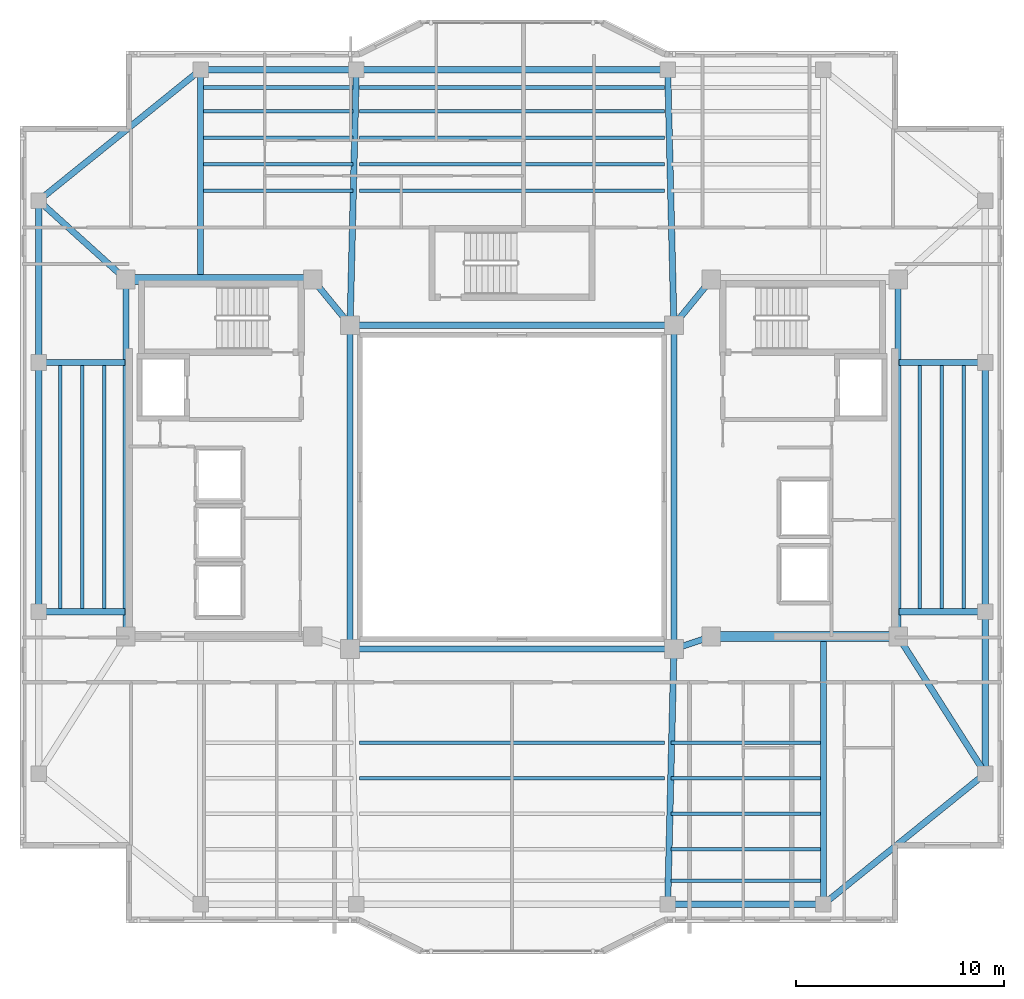
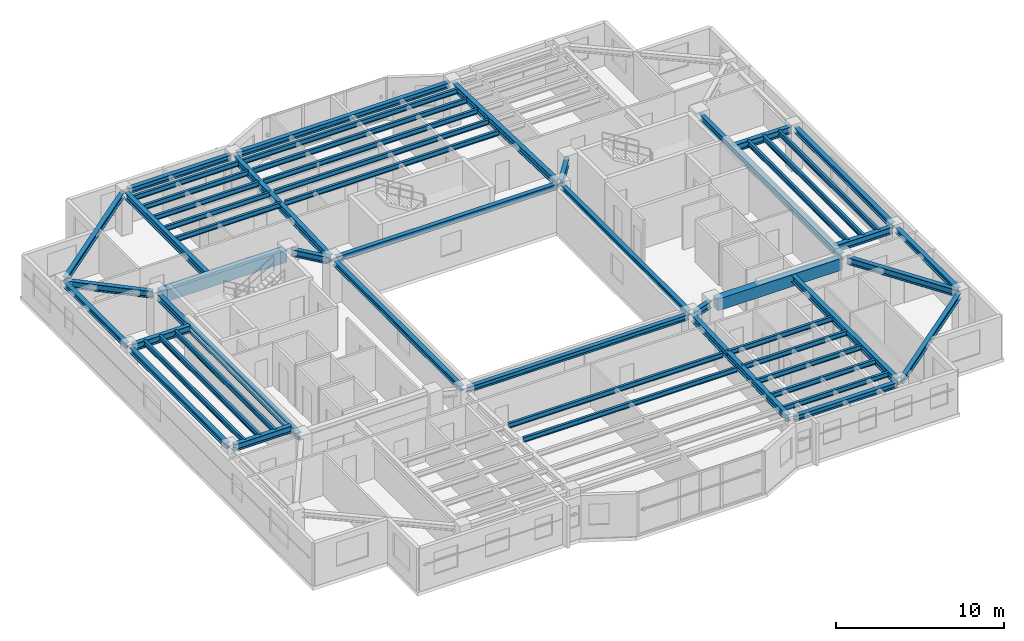
# One storey, part 3 of 13: 54 beams.
"""IFC4 building model written with IfcOpenShell, lengths in metres."""

import ifcopenshell
import ifcopenshell.guid

model = None  # the IFC model being written
_history = None  # IfcOwnerHistory: only IFC2X3 demands one
_inside = {}  # id of a spatial element -> (the spatial element, [elements in it])
_under = {}  # id of a project, library or spatial element -> (it, [spatial elements below it])
_declared = {}  # id of a project -> (the project, [libraries it declares])
_typed = {}  # id of a type object -> (the type object, [elements of that type])
_made_of = {}  # id of a material, layer set ... -> (it, [elements and type objects made of it])


def new_model(schema):
    """Start an empty IFC model of exactly this schema.

    Asked for "IFC4X3", IfcOpenShell would pick the latest addendum, in which some entities
    have other attributes; the version numbers below select the first issue.
    IFC2X3 requires an IfcOwnerHistory on every rooted entity: one is made here for all.
    """
    global model, _history
    if schema == "IFC4X3":
        model = ifcopenshell.file(schema_version=(4, 3, 0, 0))
    else:
        model = ifcopenshell.file(schema=schema)
    _inside.clear()
    _under.clear()
    _declared.clear()
    _typed.clear()
    _made_of.clear()
    _history = None
    if model.schema == "IFC2X3":
        org = make("IfcOrganization", Name="unknown")
        user = make(
            "IfcPersonAndOrganization",
            ThePerson=make("IfcPerson", FamilyName="unknown"),
            TheOrganization=org,
        )
        app = make(
            "IfcApplication",
            ApplicationDeveloper=org,
            Version="unknown",
            ApplicationFullName="unknown",
            ApplicationIdentifier="unknown",
        )
        _history = make(
            "IfcOwnerHistory",
            OwningUser=user,
            OwningApplication=app,
            ChangeAction="ADDED",
            CreationDate=0,
        )
    return model


def make(cls, **values):
    """One entity of the class cls with the attributes given. An attribute that is None is left unset."""
    return model.create_entity(
        cls, **{name: value for name, value in values.items() if value is not None}
    )


def rooted(cls, **values):
    """An entity with a GlobalId (a new one), such as an element, a storey or a relation."""
    return make(cls, GlobalId=ifcopenshell.guid.new(), OwnerHistory=_history, **values)


def si_unit(unit_type, name, prefix=None):
    """IfcSIUnit, for example si_unit("LENGTHUNIT", "METRE", prefix="MILLI")."""
    return make("IfcSIUnit", UnitType=unit_type, Prefix=prefix, Name=name)


def assignment(units):
    """IfcUnitAssignment: the units of a project."""
    return None if units is None else make("IfcUnitAssignment", Units=units)


def point(xyz):
    """IfcCartesianPoint."""
    return None if xyz is None else make("IfcCartesianPoint", Coordinates=xyz)


def direction(xyz):
    """IfcDirection."""
    return None if xyz is None else make("IfcDirection", DirectionRatios=xyz)


def frame(location, z_axis=None, x_axis=None):
    """IfcAxis2Placement3D, a coordinate frame: its origin and axes. An axis left out is left unset."""
    return make(
        "IfcAxis2Placement3D",
        Location=point(location),
        Axis=direction(z_axis),
        RefDirection=direction(x_axis),
    )


def frame_2d(location, x_axis=None):
    """IfcAxis2Placement2D, a coordinate frame in the plane: its origin and x axis."""
    return make(
        "IfcAxis2Placement2D", Location=point(location), RefDirection=direction(x_axis)
    )


def origin():
    """The frame at (0, 0, 0) with its axes left unset."""
    return frame((0.0, 0.0, 0.0))


def origin_2d():
    """The frame at (0, 0) in the plane with its x axis left unset."""
    return frame_2d((0.0, 0.0))


def place(relative_to, where):
    """IfcLocalPlacement: puts the frame where relative to a parent placement (None: the world)."""
    return make(
        "IfcLocalPlacement", PlacementRelTo=relative_to, RelativePlacement=where
    )


def context(
    kind, dimensions, precision=None, world=None, true_north=None, identifier=None
):
    """IfcGeometricRepresentationContext, for example the 3D "Model" context."""
    return make(
        "IfcGeometricRepresentationContext",
        ContextIdentifier=identifier,
        ContextType=kind,
        CoordinateSpaceDimension=dimensions,
        Precision=precision,
        WorldCoordinateSystem=world,
        TrueNorth=true_north,
    )


def subcontext(parent, identifier, kind, view, scale=None):
    """IfcGeometricRepresentationSubContext, for example "Body" below "Model"."""
    return make(
        "IfcGeometricRepresentationSubContext",
        ContextIdentifier=identifier,
        ContextType=kind,
        ParentContext=parent,
        TargetScale=scale,
        TargetView=view,
    )


def project(units=None, contexts=None):
    """IfcProject with its units and contexts."""
    return rooted(
        "IfcProject",
        Name="project",
        RepresentationContexts=contexts,
        UnitsInContext=assignment(units),
    )


def spatial(cls, under=None, at=None, **own):
    """A site, building, storey or space (cls), placed at a placement, below another one or the project."""
    s = rooted(cls, ObjectPlacement=at, **own)
    if under is not None:
        _under.setdefault(under.id(), (under, []))[1].append(s)
    return s


def profile(cls, at=None, kind="AREA", **sizes):
    """A parametric profile (cls). Its sizes go by their IFC names, for example OverallWidth=200.0."""
    return make(cls, ProfileType=kind, Position=at, **sizes)


def rectangle(**sizes):
    """IfcRectangleProfileDef."""
    return profile("IfcRectangleProfileDef", **sizes)


def i_section(**sizes):
    """IfcIShapeProfileDef."""
    return profile("IfcIShapeProfileDef", **sizes)


def extrude(swept, where, along, depth):
    """IfcExtrudedAreaSolid: the profile swept, set in the frame where, extruded along a direction by depth."""
    return make(
        "IfcExtrudedAreaSolid",
        SweptArea=swept,
        Position=where,
        ExtrudedDirection=direction(along),
        Depth=depth,
    )


def shape(context_of_items, identifier, shape_type, items):
    """IfcShapeRepresentation: the items that make up one representation, for example the "Body"."""
    return make(
        "IfcShapeRepresentation",
        ContextOfItems=context_of_items,
        RepresentationIdentifier=identifier,
        RepresentationType=shape_type,
        Items=items,
    )


def material(Name=None, Category=None):
    """IfcMaterial."""
    return make("IfcMaterial", Name=Name, Category=Category)


def material_profile(
    of_material, cross_section, Name=None, Category=None, Priority=None
):
    """IfcMaterialProfile: a cross section and its material."""
    return make(
        "IfcMaterialProfile",
        Name=Name,
        Material=of_material,
        Profile=cross_section,
        Priority=Priority,
        Category=Category,
    )


def profile_set(profiles, Name=None, composite=None):
    """IfcMaterialProfileSet."""
    return make(
        "IfcMaterialProfileSet",
        Name=Name,
        MaterialProfiles=profiles,
        CompositeProfile=composite,
    )


def made_of(thing, what):
    """Note that an element or type object is made of a material, layer set ...; save() writes the relation."""
    if what is not None:
        _made_of.setdefault(what.id(), (what, []))[1].append(thing)
    return thing


def type_object(cls, material=None, **own):
    """A type object (cls), such as IfcWallType, which elements share."""
    return made_of(rooted(cls, **own), material)


def element(
    cls,
    number,
    at=None,
    inside=None,
    cuts=None,
    type_object=None,
    material=None,
    context=None,
    identifier="Body",
    shape_type=None,
    held_by="IfcProductDefinitionShape",
    body=None,
    shapes=None,
    **own,
):
    """One element of the class cls, such as IfcWall. Its Tag is "e" and its number.

    at: its placement. inside: the storey or other place that contains it. cuts: it is an
    opening in that element (IfcRelVoidsElement). A single representation is given by context,
    identifier, shape_type and body (its items); several are given by shapes. held_by: the class
    of the entity that holds the representations. save() writes the other relations.
    """
    e = rooted(cls, Tag="e%d" % number, ObjectPlacement=at, **own)
    if body is not None:
        shapes = [shape(context, identifier, shape_type, body)]
    if shapes is not None:
        e.Representation = make(held_by, Representations=shapes)
    if inside is not None:
        _inside.setdefault(inside.id(), (inside, []))[1].append(e)
    if cuts is not None:
        rooted(
            "IfcRelVoidsElement", RelatingBuildingElement=cuts, RelatedOpeningElement=e
        )
    if type_object is not None:
        _typed.setdefault(type_object.id(), (type_object, []))[1].append(e)
    return made_of(e, material)


def aggregate(whole, parts):
    """IfcRelAggregates: a whole, such as a stair, and the parts it consists of."""
    return rooted("IfcRelAggregates", RelatingObject=whole, RelatedObjects=parts)


def save(model, path):
    """Write the relations noted so far, then the file.

    IfcRelAggregates (storeys below a building ...), IfcRelContainedInSpatialStructure (elements
    in a storey), IfcRelDefinesByType, IfcRelAssociatesMaterial and IfcRelDeclares: one each for
    every whole, place, type object, material and project.
    """
    for whole, parts in _under.values():
        aggregate(whole, parts)
    for where, things in _inside.values():
        rooted(
            "IfcRelContainedInSpatialStructure",
            RelatedElements=things,
            RelatingStructure=where,
        )
    for kind, things in _typed.values():
        rooted("IfcRelDefinesByType", RelatedObjects=things, RelatingType=kind)
    for what, things in _made_of.values():
        rooted("IfcRelAssociatesMaterial", RelatedObjects=things, RelatingMaterial=what)
    for by, libraries in _declared.values():
        rooted("IfcRelDeclares", RelatingContext=by, RelatedDefinitions=libraries)
    model.write(path)


model = new_model("IFC4")

# Units and contexts
model_context = context("Model", 3, precision=1e-05, world=origin(), true_north=direction((0.0, 1.0)))
body_context = subcontext(model_context, "Body", "Model", "MODEL_VIEW")
ifc_project = project(units=[si_unit("LENGTHUNIT", "METRE"), si_unit("AREAUNIT", "SQUARE_METRE"), si_unit("VOLUMEUNIT", "CUBIC_METRE"), si_unit("PLANEANGLEUNIT", "RADIAN"), si_unit("MASSUNIT", "GRAM", prefix="KILO")], contexts=[model_context])

# Site, building, storey
site_placement = place(None, origin())
site = spatial("IfcSite", under=ifc_project, at=site_placement, CompositionType="ELEMENT")
building_placement = place(site_placement, origin())
building = spatial("IfcBuilding", under=site, at=building_placement, Name="Tarnavaz Court Tower", CompositionType="ELEMENT")
storey_placement = place(building_placement, frame((0.0, 0.0, 193.60009765625)))
storey = spatial("IfcBuildingStorey", under=building, at=storey_placement, Name="L52", CompositionType="ELEMENT", Elevation=193.60009765625)

# Beams
ifc_material_1 = material(Name="Concrete C50/60", Category="concrete")
ifc_material_profile_1 = material_profile(ifc_material_1, rectangle(XDim=0.5, YDim=0.85009765625, at=origin_2d()), Name="RC 500X850")
ifc_profile_set_1 = profile_set([ifc_material_profile_1], Name="Concrete C50/60")
beam_type_1 = type_object("IfcBeamType", Name="BM-CB850", PredefinedType="LINTEL", material=ifc_profile_set_1)
for number, where, z_axis, x_axis, name in (
    (1, (-18.3798828125, 10.0, 2.6748046875), (1.0, 0.0, 0.0), (0.0, 1.0, 0.0), "L52 Beam IN-CW-NO-CW-NI"),
    (2, (18.3798828125, -7.199951171875, 2.6748046875), (-1.0, 0.0, 0.0), (0.0, -1.0, 0.0), "L52 Beam IN-CE-SO-CE-SI"),
):
    element("IfcBeam", number, at=place(storey_placement, frame(where, z_axis=z_axis, x_axis=x_axis)), inside=storey, type_object=beam_type_1, Name=name, PredefinedType="LINTEL", context=body_context, shape_type="SweptSolid", body=[
        extrude(rectangle(XDim=0.5, YDim=0.85009765625, at=origin_2d()), origin(), (0.0, 0.0, 1.0), 8.559814453125),
    ])
ifc_material_2 = material(Name="Steel S355", Category="steel")
ifc_material_profile_2 = material_profile(ifc_material_2, i_section(OverallWidth=0.300048828125, OverallDepth=0.5, WebThickness=0.014404296875, FlangeThickness=0.028076171875, FilletRadius=0.027099609375, at=origin_2d()), Name="HEB 500")
ifc_profile_set_2 = profile_set([ifc_material_profile_2], Name="Steel S355")
beam_type_2 = type_object("IfcBeamType", Name="BM-G-HEB500", PredefinedType="USERDEFINED", material=ifc_profile_set_2)
beam_1_placement = place(storey_placement, frame((9.391357421875, -7.26953125, 2.849853515625), z_axis=(-0.948666544706, -0.316278021615, 0.0), x_axis=(0.316278021615, -0.948666544706, 0.0)))
element("IfcBeam", 3, at=beam_1_placement, inside=storey, type_object=beam_type_2, Name="L52 Beam IN-CE-SI-IW-SE", ObjectType="GIRDER", PredefinedType="USERDEFINED", context=body_context, shape_type="SweptSolid", body=[
    extrude(i_section(OverallWidth=0.300048828125, OverallDepth=0.5, WebThickness=0.014404296875, FlangeThickness=0.028076171875, FilletRadius=0.027099609375, at=origin_2d()), origin(), (0.0, 0.0, 1.0), 1.457275390625),
])
for number, where, z_axis, x_axis, name in (
    (4, (-9.460693359375, 9.82958984375, 2.849853515625), (0.633282058357, -0.773921077735, 0.0), (0.773921077735, 0.633282058357, 0.0), "L52 Beam IN-CW-NI-IW-NW"),
    (5, (9.460693359375, 9.82958984375, 2.849853515625), (-0.633282058357, -0.773921077735, 0.0), (0.773921077735, -0.633282058357, 0.0), "L52 Beam IN-CE-NI-IW-NE"),
):
    element("IfcBeam", number, at=place(storey_placement, frame(where, z_axis=z_axis, x_axis=x_axis)), inside=storey, type_object=beam_type_2, Name=name, ObjectType="GIRDER", PredefinedType="USERDEFINED", context=body_context, shape_type="SweptSolid", body=[
        extrude(i_section(OverallWidth=0.300048828125, OverallDepth=0.5, WebThickness=0.014404296875, FlangeThickness=0.028076171875, FilletRadius=0.027099609375, at=origin_2d()), origin(), (0.0, 0.0, 1.0), 2.402587890625),
    ])
for number, where, z_axis, x_axis, name in (
    (6, (-18.60009765625, -6.97998046875, 2.849853515625), (0.0, 1.0, 0.0), (-1.0, 0.0, 0.0), "L52 Beam IN-CW-SO-CW-NO"),
    (7, (18.60009765625, -6.97998046875, 2.849853515625), (0.0, 1.0, 0.0), (-1.0, 0.0, 0.0), "L52 Beam IN-CE-SO-CE-NO"),
):
    element("IfcBeam", number, at=place(storey_placement, frame(where, z_axis=z_axis, x_axis=x_axis)), inside=storey, type_object=beam_type_2, Name=name, ObjectType="GIRDER", PredefinedType="USERDEFINED", context=body_context, shape_type="SweptSolid", body=[
        extrude(i_section(OverallWidth=0.300048828125, OverallDepth=0.5, WebThickness=0.014404296875, FlangeThickness=0.028076171875, FilletRadius=0.027099609375, at=origin_2d()), origin(), (0.0, 0.0, 1.0), 16.760009765625),
    ])
beam_2_placement = place(storey_placement, frame((-15.0, 10.0400390625, 2.849853515625), z_axis=(0.0, 1.0, 0.0), x_axis=(-1.0, 0.0, 0.0)))
element("IfcBeam", 8, at=beam_2_placement, inside=storey, type_object=beam_type_2, Name="L52 Beam RG-01", ObjectType="GIRDER", PredefinedType="USERDEFINED", context=body_context, shape_type="SweptSolid", body=[
    extrude(i_section(OverallWidth=0.300048828125, OverallDepth=0.5, WebThickness=0.014404296875, FlangeThickness=0.028076171875, FilletRadius=0.027099609375, at=origin_2d()), origin(), (0.0, 0.0, 1.0), 9.83984375),
])
for number, where, z_axis, x_axis, name in (
    (9, (-7.794677734375, 8.02001953125, 2.849853515625), (0.024386002211, 0.99970261723, 0.0), (-0.99970261723, 0.024386002211, 0.0), "L52 Beam RG-02"),
    (10, (7.794677734375, 8.02001953125, 2.849853515625), (-0.024386002211, 0.99970261723, 0.0), (-0.99970261723, -0.024386002211, 0.0), "L52 Beam RG-03"),
    (11, (7.794677734375, -8.02001953125, 2.849853515625), (-0.024386002211, -0.99970261723, 0.0), (0.99970261723, -0.024386002211, 0.0), "L52 Beam RG-07"),
):
    element("IfcBeam", number, at=place(storey_placement, frame(where, z_axis=z_axis, x_axis=x_axis)), inside=storey, type_object=beam_type_2, Name=name, ObjectType="GIRDER", PredefinedType="USERDEFINED", context=body_context, shape_type="SweptSolid", body=[
        extrude(i_section(OverallWidth=0.300048828125, OverallDepth=0.5, WebThickness=0.014404296875, FlangeThickness=0.028076171875, FilletRadius=0.027099609375, at=origin_2d()), origin(), (0.0, 0.0, 1.0), 11.863525390625),
    ])
beam_3_placement = place(storey_placement, frame((15.0, -7.239990234375, 2.849853515625), z_axis=(0.0, -1.0, 0.0), x_axis=(1.0, 0.0, 0.0)))
element("IfcBeam", 12, at=beam_3_placement, inside=storey, type_object=beam_type_2, Name="L52 Beam RG-08", ObjectType="GIRDER", PredefinedType="USERDEFINED", context=body_context, shape_type="SweptSolid", body=[
    extrude(i_section(OverallWidth=0.300048828125, OverallDepth=0.5, WebThickness=0.014404296875, FlangeThickness=0.028076171875, FilletRadius=0.027099609375, at=origin_2d()), origin(), (0.0, 0.0, 1.0), 12.639892578125),
])
for number, where, z_axis, x_axis, name in (
    (13, (18.639892578125, -6.0, 2.849853515625), (1.0, 0.0, 0.0), (0.0, 1.0, 0.0), "L52 Beam RG-09"),
    (14, (18.639892578125, 6.0, 2.849853515625), (1.0, 0.0, 0.0), (0.0, 1.0, 0.0), "L52 Beam RG-10"),
):
    element("IfcBeam", number, at=place(storey_placement, frame(where, z_axis=z_axis, x_axis=x_axis)), inside=storey, type_object=beam_type_2, Name=name, ObjectType="GIRDER", PredefinedType="USERDEFINED", context=body_context, shape_type="SweptSolid", body=[
        extrude(i_section(OverallWidth=0.300048828125, OverallDepth=0.5, WebThickness=0.014404296875, FlangeThickness=0.028076171875, FilletRadius=0.027099609375, at=origin_2d()), origin(), (0.0, 0.0, 1.0), 3.940185546875),
    ])
beam_4_placement = place(storey_placement, frame((18.718017578125, -7.385498046875, 2.849853515625), z_axis=(0.536871212964, -0.843664210863, 0.0), x_axis=(0.843664210863, 0.536871212964, 0.0)))
element("IfcBeam", 15, at=beam_4_placement, inside=storey, type_object=beam_type_2, Name="L52 Beam RG-11", ObjectType="GIRDER", PredefinedType="USERDEFINED", context=body_context, shape_type="SweptSolid", body=[
    extrude(i_section(OverallWidth=0.300048828125, OverallDepth=0.5, WebThickness=0.014404296875, FlangeThickness=0.028076171875, FilletRadius=0.027099609375, at=origin_2d()), origin(), (0.0, 0.0, 1.0), 7.38330078125),
])
for number, where, z_axis, x_axis, name in (
    (16, (-18.639892578125, -6.0, 2.849853515625), (-1.0, 0.0, 0.0), (0.0, -1.0, 0.0), "L52 Beam RG-13"),
    (17, (-18.639892578125, 6.0, 2.849853515625), (-1.0, 0.0, 0.0), (0.0, -1.0, 0.0), "L52 Beam RG-14"),
):
    element("IfcBeam", number, at=place(storey_placement, frame(where, z_axis=z_axis, x_axis=x_axis)), inside=storey, type_object=beam_type_2, Name=name, ObjectType="GIRDER", PredefinedType="USERDEFINED", context=body_context, shape_type="SweptSolid", body=[
        extrude(i_section(OverallWidth=0.300048828125, OverallDepth=0.5, WebThickness=0.014404296875, FlangeThickness=0.028076171875, FilletRadius=0.027099609375, at=origin_2d()), origin(), (0.0, 0.0, 1.0), 3.940185546875),
    ])
beam_5_placement = place(storey_placement, frame((-18.76318359375, 10.147705078125, 2.849853515625), z_axis=(-0.741555708494, 0.670891296113, 0.0), x_axis=(-0.670891296113, -0.741555708494, 0.0)))
element("IfcBeam", 18, at=beam_5_placement, inside=storey, type_object=beam_type_2, Name="L52 Beam RG-16", ObjectType="GIRDER", PredefinedType="USERDEFINED", context=body_context, shape_type="SweptSolid", body=[
    extrude(i_section(OverallWidth=0.300048828125, OverallDepth=0.5, WebThickness=0.014404296875, FlangeThickness=0.028076171875, FilletRadius=0.027099609375, at=origin_2d()), origin(), (0.0, 0.0, 1.0), 5.223876953125),
])
ifc_material_profile_3 = material_profile(ifc_material_2, i_section(OverallWidth=0.169921875, OverallDepth=0.360107421875, WebThickness=0.008056640625, FlangeThickness=0.0126953125, FilletRadius=0.01806640625, at=origin_2d()), Name="IPE 360")
ifc_profile_set_3 = profile_set([ifc_material_profile_3], Name="Steel S355")
beam_type_3 = type_object("IfcBeamType", Name="BM-J-IPE360", PredefinedType="JOIST", material=ifc_profile_set_3)
beam_6_placement = place(storey_placement, frame((-14.85009765625, 14.278076171875, 2.919921875), z_axis=(1.0, 0.0, 0.0), x_axis=(0.0, 1.0, 0.0)))
element("IfcBeam", 19, at=beam_6_placement, inside=storey, type_object=beam_type_3, Name="L52 Beam JN1-1", PredefinedType="JOIST", context=body_context, shape_type="SweptSolid", body=[
    extrude(i_section(OverallWidth=0.169921875, OverallDepth=0.360107421875, WebThickness=0.008056640625, FlangeThickness=0.0126953125, FilletRadius=0.01806640625, at=origin_2d()), origin(), (0.0, 0.0, 1.0), 7.2001953125),
])
for number, where, z_axis, x_axis, name in (
    (20, (-7.35009765625, 14.278076171875, 2.919921875), (1.0, 0.0, 0.0), (0.0, 1.0, 0.0), "L52 Beam JN1-2"),
    (21, (-7.35009765625, -12.31005859375, 2.919921875), (1.0, 0.0, 0.0), (0.0, 1.0, 0.0), "L52 Beam JS1-2"),
):
    element("IfcBeam", number, at=place(storey_placement, frame(where, z_axis=z_axis, x_axis=x_axis)), inside=storey, type_object=beam_type_3, Name=name, PredefinedType="JOIST", context=body_context, shape_type="SweptSolid", body=[
        extrude(i_section(OverallWidth=0.169921875, OverallDepth=0.360107421875, WebThickness=0.008056640625, FlangeThickness=0.0126953125, FilletRadius=0.01806640625, at=origin_2d()), origin(), (0.0, 0.0, 1.0), 14.7001953125),
    ])
for number, where, z_axis, x_axis, name in (
    (22, (7.64990234375, -12.31005859375, 2.919921875), (1.0, 0.0, 0.0), (0.0, 1.0, 0.0), "L52 Beam JS1-3"),
    (23, (-14.85009765625, 15.555908203125, 2.919921875), (1.0, 0.0, 0.0), (0.0, 1.0, 0.0), "L52 Beam JN2-1"),
):
    element("IfcBeam", number, at=place(storey_placement, frame(where, z_axis=z_axis, x_axis=x_axis)), inside=storey, type_object=beam_type_3, Name=name, PredefinedType="JOIST", context=body_context, shape_type="SweptSolid", body=[
        extrude(i_section(OverallWidth=0.169921875, OverallDepth=0.360107421875, WebThickness=0.008056640625, FlangeThickness=0.0126953125, FilletRadius=0.01806640625, at=origin_2d()), origin(), (0.0, 0.0, 1.0), 7.2001953125),
    ])
for number, where, z_axis, x_axis, name in (
    (24, (-7.35009765625, 15.555908203125, 2.919921875), (1.0, 0.0, 0.0), (0.0, 1.0, 0.0), "L52 Beam JN2-2"),
    (25, (-7.35009765625, -14.02001953125, 2.919921875), (1.0, 0.0, 0.0), (0.0, 1.0, 0.0), "L52 Beam JS2-2"),
):
    element("IfcBeam", number, at=place(storey_placement, frame(where, z_axis=z_axis, x_axis=x_axis)), inside=storey, type_object=beam_type_3, Name=name, PredefinedType="JOIST", context=body_context, shape_type="SweptSolid", body=[
        extrude(i_section(OverallWidth=0.169921875, OverallDepth=0.360107421875, WebThickness=0.008056640625, FlangeThickness=0.0126953125, FilletRadius=0.01806640625, at=origin_2d()), origin(), (0.0, 0.0, 1.0), 14.7001953125),
    ])
for number, where, z_axis, x_axis, name in (
    (26, (7.64990234375, -14.02001953125, 2.919921875), (1.0, 0.0, 0.0), (0.0, 1.0, 0.0), "L52 Beam JS2-3"),
    (27, (-14.85009765625, 16.833984375, 2.919921875), (1.0, 0.0, 0.0), (0.0, 1.0, 0.0), "L52 Beam JN3-1"),
):
    element("IfcBeam", number, at=place(storey_placement, frame(where, z_axis=z_axis, x_axis=x_axis)), inside=storey, type_object=beam_type_3, Name=name, PredefinedType="JOIST", context=body_context, shape_type="SweptSolid", body=[
        extrude(i_section(OverallWidth=0.169921875, OverallDepth=0.360107421875, WebThickness=0.008056640625, FlangeThickness=0.0126953125, FilletRadius=0.01806640625, at=origin_2d()), origin(), (0.0, 0.0, 1.0), 7.2001953125),
    ])
beam_7_placement = place(storey_placement, frame((-7.35009765625, 16.833984375, 2.919921875), z_axis=(1.0, 0.0, 0.0), x_axis=(0.0, 1.0, 0.0)))
element("IfcBeam", 28, at=beam_7_placement, inside=storey, type_object=beam_type_3, Name="L52 Beam JN3-2", PredefinedType="JOIST", context=body_context, shape_type="SweptSolid", body=[
    extrude(i_section(OverallWidth=0.169921875, OverallDepth=0.360107421875, WebThickness=0.008056640625, FlangeThickness=0.0126953125, FilletRadius=0.01806640625, at=origin_2d()), origin(), (0.0, 0.0, 1.0), 14.7001953125),
])
for number, where, z_axis, x_axis, name in (
    (29, (7.64990234375, -15.72998046875, 2.919921875), (1.0, 0.0, 0.0), (0.0, 1.0, 0.0), "L52 Beam JS3-3"),
    (30, (-14.85009765625, 18.112060546875, 2.919921875), (1.0, 0.0, 0.0), (0.0, 1.0, 0.0), "L52 Beam JN4-1"),
):
    element("IfcBeam", number, at=place(storey_placement, frame(where, z_axis=z_axis, x_axis=x_axis)), inside=storey, type_object=beam_type_3, Name=name, PredefinedType="JOIST", context=body_context, shape_type="SweptSolid", body=[
        extrude(i_section(OverallWidth=0.169921875, OverallDepth=0.360107421875, WebThickness=0.008056640625, FlangeThickness=0.0126953125, FilletRadius=0.01806640625, at=origin_2d()), origin(), (0.0, 0.0, 1.0), 7.2001953125),
    ])
beam_8_placement = place(storey_placement, frame((-7.35009765625, 18.112060546875, 2.919921875), z_axis=(1.0, 0.0, 0.0), x_axis=(0.0, 1.0, 0.0)))
element("IfcBeam", 31, at=beam_8_placement, inside=storey, type_object=beam_type_3, Name="L52 Beam JN4-2", PredefinedType="JOIST", context=body_context, shape_type="SweptSolid", body=[
    extrude(i_section(OverallWidth=0.169921875, OverallDepth=0.360107421875, WebThickness=0.008056640625, FlangeThickness=0.0126953125, FilletRadius=0.01806640625, at=origin_2d()), origin(), (0.0, 0.0, 1.0), 14.7001953125),
])
for number, where, z_axis, x_axis, name in (
    (32, (7.64990234375, -17.43994140625, 2.919921875), (1.0, 0.0, 0.0), (0.0, 1.0, 0.0), "L52 Beam JS4-3"),
    (33, (-14.85009765625, 19.248046875, 2.919921875), (1.0, 0.0, 0.0), (0.0, 1.0, 0.0), "L52 Beam JN5-1"),
):
    element("IfcBeam", number, at=place(storey_placement, frame(where, z_axis=z_axis, x_axis=x_axis)), inside=storey, type_object=beam_type_3, Name=name, PredefinedType="JOIST", context=body_context, shape_type="SweptSolid", body=[
        extrude(i_section(OverallWidth=0.169921875, OverallDepth=0.360107421875, WebThickness=0.008056640625, FlangeThickness=0.0126953125, FilletRadius=0.01806640625, at=origin_2d()), origin(), (0.0, 0.0, 1.0), 7.2001953125),
    ])
beam_9_placement = place(storey_placement, frame((-7.35009765625, 19.248046875, 2.919921875), z_axis=(1.0, 0.0, 0.0), x_axis=(0.0, 1.0, 0.0)))
element("IfcBeam", 34, at=beam_9_placement, inside=storey, type_object=beam_type_3, Name="L52 Beam JN5-2", PredefinedType="JOIST", context=body_context, shape_type="SweptSolid", body=[
    extrude(i_section(OverallWidth=0.169921875, OverallDepth=0.360107421875, WebThickness=0.008056640625, FlangeThickness=0.0126953125, FilletRadius=0.01806640625, at=origin_2d()), origin(), (0.0, 0.0, 1.0), 14.7001953125),
])
beam_10_placement = place(storey_placement, frame((7.64990234375, -18.9599609375, 2.919921875), z_axis=(1.0, 0.0, 0.0), x_axis=(0.0, 1.0, 0.0)))
element("IfcBeam", 35, at=beam_10_placement, inside=storey, type_object=beam_type_3, Name="L52 Beam JS5-3", PredefinedType="JOIST", context=body_context, shape_type="SweptSolid", body=[
    extrude(i_section(OverallWidth=0.169921875, OverallDepth=0.360107421875, WebThickness=0.008056640625, FlangeThickness=0.0126953125, FilletRadius=0.01806640625, at=origin_2d()), origin(), (0.0, 0.0, 1.0), 7.2001953125),
])
for number, where, z_axis, x_axis, name in (
    (36, (19.64990234375, -5.9599609375, 2.919921875), (0.0, 1.0, 0.0), (-1.0, 0.0, 0.0), "L52 Beam JE1"),
    (37, (-19.64990234375, -5.9599609375, 2.919921875), (0.0, 1.0, 0.0), (-1.0, 0.0, 0.0), "L52 Beam JW1"),
    (38, (20.699951171875, -5.9599609375, 2.919921875), (0.0, 1.0, 0.0), (-1.0, 0.0, 0.0), "L52 Beam JE2"),
    (39, (-20.699951171875, -5.9599609375, 2.919921875), (0.0, 1.0, 0.0), (-1.0, 0.0, 0.0), "L52 Beam JW2"),
    (40, (21.75, -5.9599609375, 2.919921875), (0.0, 1.0, 0.0), (-1.0, 0.0, 0.0), "L52 Beam JE3"),
    (41, (-21.75, -5.9599609375, 2.919921875), (0.0, 1.0, 0.0), (-1.0, 0.0, 0.0), "L52 Beam JW3"),
):
    element("IfcBeam", number, at=place(storey_placement, frame(where, z_axis=z_axis, x_axis=x_axis)), inside=storey, type_object=beam_type_3, Name=name, PredefinedType="JOIST", context=body_context, shape_type="SweptSolid", body=[
        extrude(i_section(OverallWidth=0.169921875, OverallDepth=0.360107421875, WebThickness=0.008056640625, FlangeThickness=0.0126953125, FilletRadius=0.01806640625, at=origin_2d()), origin(), (0.0, 0.0, 1.0), 11.919921875),
    ])
ifc_material_profile_4 = material_profile(ifc_material_2, i_section(OverallWidth=0.300048828125, OverallDepth=0.389892578125, WebThickness=0.010986328125, FlangeThickness=0.01904296875, FilletRadius=0.027099609375, at=origin_2d()), Name="HEA 400")
ifc_profile_set_4 = profile_set([ifc_material_profile_4], Name="Steel S355")
beam_type_4 = type_object("IfcBeamType", Name="BM-SP-HEA400", PredefinedType="BEAM", material=ifc_profile_set_4)
for number, where, z_axis, x_axis, name in (
    (42, (-7.580078125, -7.800048828125, 2.90478515625), (1.0, 0.0, 0.0), (0.0, 1.0, 0.0), "L52 Beam IN-IW-SW-IW-SE"),
    (43, (-7.580078125, 7.800048828125, 2.90478515625), (1.0, 0.0, 0.0), (0.0, 1.0, 0.0), "L52 Beam IN-IW-NW-IW-NE"),
    (44, (-7.800048828125, -7.580078125, 2.90478515625), (0.0, 1.0, 0.0), (-1.0, 0.0, 0.0), "L52 Beam IN-IW-SW-IW-NW"),
    (45, (7.800048828125, -7.580078125, 2.90478515625), (0.0, 1.0, 0.0), (-1.0, 0.0, 0.0), "L52 Beam IN-IW-SE-IW-NE"),
):
    element("IfcBeam", number, at=place(storey_placement, frame(where, z_axis=z_axis, x_axis=x_axis)), inside=storey, type_object=beam_type_4, Name=name, PredefinedType="BEAM", context=body_context, shape_type="SweptSolid", body=[
        extrude(i_section(OverallWidth=0.300048828125, OverallDepth=0.389892578125, WebThickness=0.010986328125, FlangeThickness=0.01904296875, FilletRadius=0.027099609375, at=origin_2d()), origin(), (0.0, 0.0, 1.0), 15.16015625),
    ])
beam_11_placement = place(storey_placement, frame((-14.780029296875, 20.10009765625, 2.90478515625), z_axis=(1.0, 0.0, 0.0), x_axis=(0.0, 1.0, 0.0)))
element("IfcBeam", 46, at=beam_11_placement, inside=storey, type_object=beam_type_4, Name="L52 Beam PR-PN-1-PN-2", PredefinedType="BEAM", context=body_context, shape_type="SweptSolid", body=[
    extrude(i_section(OverallWidth=0.300048828125, OverallDepth=0.389892578125, WebThickness=0.010986328125, FlangeThickness=0.01904296875, FilletRadius=0.027099609375, at=origin_2d()), origin(), (0.0, 0.0, 1.0), 7.06005859375),
])
beam_12_placement = place(storey_placement, frame((-7.280029296875, 20.10009765625, 2.90478515625), z_axis=(1.0, 0.0, 0.0), x_axis=(0.0, 1.0, 0.0)))
element("IfcBeam", 47, at=beam_12_placement, inside=storey, type_object=beam_type_4, Name="L52 Beam PR-PN-2-PN-3", PredefinedType="BEAM", context=body_context, shape_type="SweptSolid", body=[
    extrude(i_section(OverallWidth=0.300048828125, OverallDepth=0.389892578125, WebThickness=0.010986328125, FlangeThickness=0.01904296875, FilletRadius=0.027099609375, at=origin_2d()), origin(), (0.0, 0.0, 1.0), 14.56005859375),
])
beam_13_placement = place(storey_placement, frame((7.719970703125, -20.10009765625, 2.90478515625), z_axis=(1.0, 0.0, 0.0), x_axis=(0.0, 1.0, 0.0)))
element("IfcBeam", 48, at=beam_13_placement, inside=storey, type_object=beam_type_4, Name="L52 Beam PR-PS-3-PS-4", PredefinedType="BEAM", context=body_context, shape_type="SweptSolid", body=[
    extrude(i_section(OverallWidth=0.300048828125, OverallDepth=0.389892578125, WebThickness=0.010986328125, FlangeThickness=0.01904296875, FilletRadius=0.027099609375, at=origin_2d()), origin(), (0.0, 0.0, 1.0), 7.06005859375),
])
beam_14_placement = place(storey_placement, frame((22.800048828125, -13.580078125, 2.90478515625), z_axis=(0.0, 1.0, 0.0), x_axis=(-1.0, 0.0, 0.0)))
element("IfcBeam", 49, at=beam_14_placement, inside=storey, type_object=beam_type_4, Name="L52 Beam PR-PE-1-PE-2", PredefinedType="BEAM", context=body_context, shape_type="SweptSolid", body=[
    extrude(i_section(OverallWidth=0.300048828125, OverallDepth=0.389892578125, WebThickness=0.010986328125, FlangeThickness=0.01904296875, FilletRadius=0.027099609375, at=origin_2d()), origin(), (0.0, 0.0, 1.0), 7.360107421875),
])
for number, where, z_axis, x_axis, name in (
    (50, (22.800048828125, -5.780029296875, 2.90478515625), (0.0, 1.0, 0.0), (-1.0, 0.0, 0.0), "L52 Beam PR-PE-2-PE-3"),
    (51, (-22.800048828125, -5.780029296875, 2.90478515625), (0.0, 1.0, 0.0), (-1.0, 0.0, 0.0), "L52 Beam PR-PW-2-PW-3"),
):
    element("IfcBeam", number, at=place(storey_placement, frame(where, z_axis=z_axis, x_axis=x_axis)), inside=storey, type_object=beam_type_4, Name=name, PredefinedType="BEAM", context=body_context, shape_type="SweptSolid", body=[
        extrude(i_section(OverallWidth=0.300048828125, OverallDepth=0.389892578125, WebThickness=0.010986328125, FlangeThickness=0.01904296875, FilletRadius=0.027099609375, at=origin_2d()), origin(), (0.0, 0.0, 1.0), 11.56005859375),
    ])
beam_15_placement = place(storey_placement, frame((-22.800048828125, 6.219970703125, 2.90478515625), z_axis=(0.0, 1.0, 0.0), x_axis=(-1.0, 0.0, 0.0)))
element("IfcBeam", 52, at=beam_15_placement, inside=storey, type_object=beam_type_4, Name="L52 Beam PR-PW-3-PW-4", PredefinedType="BEAM", context=body_context, shape_type="SweptSolid", body=[
    extrude(i_section(OverallWidth=0.300048828125, OverallDepth=0.389892578125, WebThickness=0.010986328125, FlangeThickness=0.01904296875, FilletRadius=0.027099609375, at=origin_2d()), origin(), (0.0, 0.0, 1.0), 7.360107421875),
])
for number, where, z_axis, x_axis, name in (
    (53, (22.62890625, -13.938232421875, 2.90478515625), (-0.777935913531, -0.628343627674, 0.0), (0.628343627674, -0.777935913531, 0.0), "L52 Beam PR-PE-1-PS-4"),
    (54, (-22.62890625, 13.938232421875, 2.90478515625), (0.777935913531, 0.628343627674, 0.0), (-0.628343627674, 0.777935913531, 0.0), "L52 Beam PR-PW-4-PN-1"),
):
    element("IfcBeam", number, at=place(storey_placement, frame(where, z_axis=z_axis, x_axis=x_axis)), inside=storey, type_object=beam_type_4, Name=name, PredefinedType="BEAM", context=body_context, shape_type="SweptSolid", body=[
        extrude(i_section(OverallWidth=0.300048828125, OverallDepth=0.389892578125, WebThickness=0.010986328125, FlangeThickness=0.01904296875, FilletRadius=0.027099609375, at=origin_2d()), origin(), (0.0, 0.0, 1.0), 9.586669921875),
    ])

save(model, "model.ifc")
